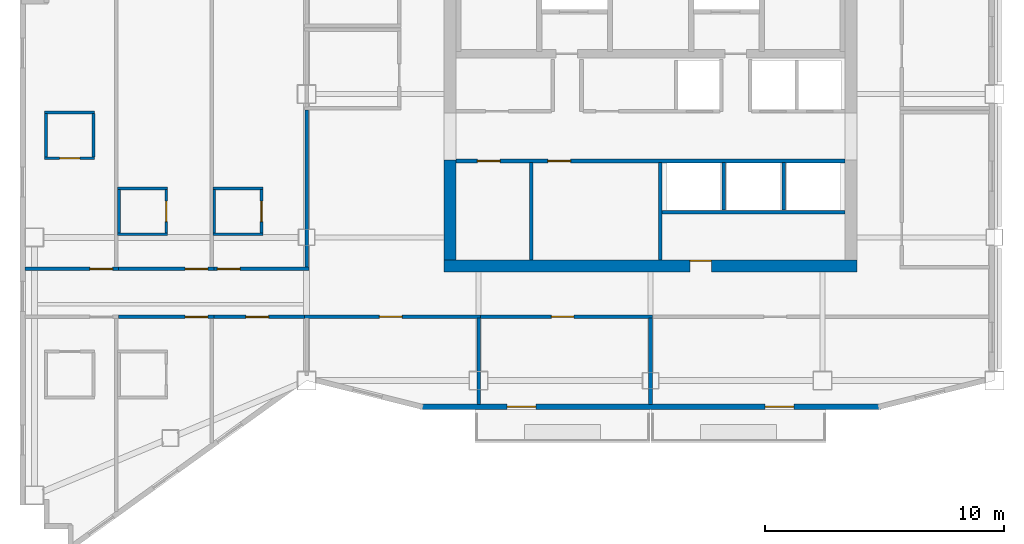
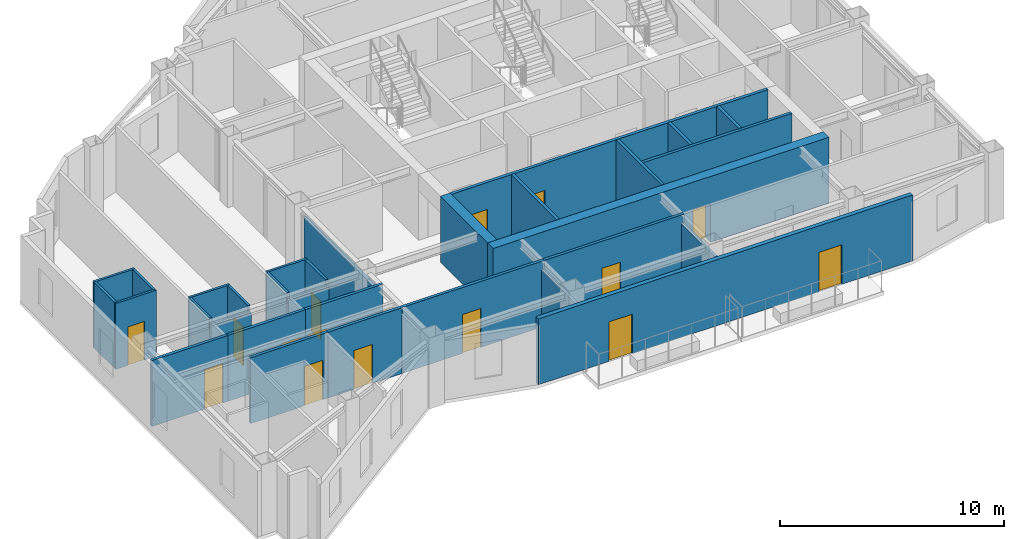
# One storey, part 5 of 9: 31 walls, 15 doors, 15 openings.
"""IFC4 building model written with IfcOpenShell, lengths in metres."""

from ifc_helpers import new_model, si_unit, direction, frame, frame_2d, origin, place, context, subcontext, project, spatial, rectangle, extrude, material, layer, layer_set, type_object, element, fill, save


model = new_model("IFC4")

# Units and contexts
model_context = context("Model", 3, precision=1e-05, world=origin(), true_north=direction((0.0, 1.0)))
body_context = subcontext(model_context, "Body", "Model", "MODEL_VIEW")
ifc_project = project(units=[si_unit("LENGTHUNIT", "METRE"), si_unit("AREAUNIT", "SQUARE_METRE"), si_unit("VOLUMEUNIT", "CUBIC_METRE"), si_unit("PLANEANGLEUNIT", "RADIAN"), si_unit("MASSUNIT", "GRAM", prefix="KILO")], contexts=[model_context])

# Site, building, storey
site_placement = place(None, origin())
site = spatial("IfcSite", under=ifc_project, at=site_placement, CompositionType="ELEMENT")
building_placement = place(site_placement, origin())
building = spatial("IfcBuilding", under=site, at=building_placement, Name="Haolan Belvedere Tower", CompositionType="ELEMENT")
storey_placement = place(building_placement, frame((0.0, 0.0, 273.699951171875)))
storey = spatial("IfcBuildingStorey", under=building, at=storey_placement, Name="L69", CompositionType="ELEMENT", Elevation=273.699951171875)

# Wall, opening, door
ifc_material_1 = material(Name="Concrete C50/60", Category="concrete")
ifc_layer_1 = layer(ifc_material_1, 0.5, Name="Concrete C50/60")
ifc_layer_set_1 = layer_set([ifc_layer_1], Name="Concrete C50/60")
wall_type_1 = type_object("IfcWallType", Name="WL-CORE-500", PredefinedType="SHEAR", material=ifc_layer_set_1)
wall_1_placement = place(storey_placement, frame((29.75, 26.39990234375, 0.0), z_axis=(0.0, 0.0, 1.0), x_axis=(1.0, 0.0, 0.0)))
wall_1 = element("IfcWall", 1, at=wall_1_placement, inside=storey, type_object=wall_type_1, Name="L69 central core south shear wall", PredefinedType="SHEAR", context=body_context, shape_type="SweptSolid", body=[
    extrude(rectangle(XDim=17.300048828125, YDim=0.5, at=frame_2d((8.64990234375, 0.0))), origin(), (0.0, 0.0, 1.0), 3.590087890625),
])
opening_1_placement = place(wall_1_placement, frame((11.199951171875, 0.0, 0.0), z_axis=(0.0, 0.0, 1.0), x_axis=(-1.0, 0.0, 0.0)))
opening_1 = element("IfcOpeningElement", 2, at=opening_1_placement, cuts=wall_1, Name="Opening FD-05", PredefinedType="OPENING", context=body_context, shape_type="SweptSolid", body=[
    extrude(rectangle(XDim=0.89990234375, YDim=2.10009765625, at=frame_2d((0.449951171875, 1.050048828125))), frame((0.0, 0.260009765625, 0.0), z_axis=(0.0, -1.0, 0.0), x_axis=(1.0, 0.0, 0.0)), (0.0, 0.0, 1.0), 0.52001953125),
])
ifc_material_2 = material(Name="Galvanised fire-rated steel", Category="steel")
door_type_1 = type_object("IfcDoorType", Name="DR-FD60-900", OperationType="NOTDEFINED", PredefinedType="DOOR", material=ifc_material_2)
door_1_placement = place(opening_1_placement, origin())
door_1 = element("IfcDoor", 3, at=door_1_placement, inside=storey, type_object=door_type_1, Name="L69 door CD-L69-SCVE", OperationType="SINGLE_SWING_RIGHT", OverallHeight=2.10009765625, OverallWidth=0.89990234375, PredefinedType="DOOR", context=body_context, shape_type="SweptSolid", body=[
    extrude(rectangle(XDim=0.89990234375, YDim=2.10009765625, at=frame_2d((0.449951171875, 1.050048828125))), frame((0.0, -0.19482421875, 0.0), z_axis=(0.0, -1.0, 0.0), x_axis=(1.0, 0.0, 0.0)), (0.0, 0.0, 1.0), 0.050048828125),
])
fill(opening_1, door_1)

# Wall
wall_2_placement = place(storey_placement, frame((30.0, 26.64990234375, 0.0), z_axis=(0.0, 0.0, 1.0), x_axis=(0.0, 1.0, 0.0)))
element("IfcWall", 4, at=wall_2_placement, inside=storey, type_object=wall_type_1, Name="L69 central core shear wall WS", PredefinedType="SHEAR", context=body_context, shape_type="SweptSolid", body=[
    extrude(rectangle(XDim=4.2001953125, YDim=0.5, at=frame_2d((2.10009765625, 0.0))), origin(), (0.0, 0.0, 1.0), 3.590087890625),
])

# Wall, openings, doors
ifc_material_3 = material(Name="Precast concrete C40/50", Category="concrete")
ifc_layer_2 = layer(ifc_material_3, 0.219970703125, Name="Precast concrete C40/50")
ifc_layer_set_2 = layer_set([ifc_layer_2], Name="Precast concrete C40/50")
wall_type_2 = type_object("IfcWallType", Name="WL-EXT-220", PredefinedType="SOLIDWALL", material=ifc_layer_set_2)
wall_3_placement = place(storey_placement, frame((28.758544921875, 20.510009765625, 0.0), z_axis=(0.0, 0.0, 1.0), x_axis=(1.0, 0.0, 0.0)))
wall_3 = element("IfcWall", 5, at=wall_3_placement, inside=storey, type_object=wall_type_2, Name="L69 pale-metal exterior spandrel wall 1.1", PredefinedType="SOLIDWALL", context=body_context, shape_type="SweptSolid", body=[
    extrude(rectangle(XDim=19.282958984375, YDim=0.219970703125, at=frame_2d((9.6416015625, 0.0))), origin(), (0.0, 0.0, 1.0), 3.590087890625),
])
opening_2_placement = place(wall_3_placement, frame((4.841552734375, 0.0, 0.0), z_axis=(0.0, 0.0, 1.0), x_axis=(-1.0, 0.0, 0.0)))
opening_2 = element("IfcOpeningElement", 6, at=opening_2_placement, cuts=wall_3, Name="Opening BD-01", PredefinedType="OPENING", context=body_context, shape_type="SweptSolid", body=[
    extrude(rectangle(XDim=1.199951171875, YDim=2.14990234375, at=frame_2d((0.60009765625, 1.074951171875))), frame((0.0, 0.119873046875, 0.0), z_axis=(0.0, -1.0, 0.0), x_axis=(1.0, 0.0, 0.0)), (0.0, 0.0, 1.0), 0.239990234375),
])
opening_3_placement = place(wall_3_placement, frame((15.641357421875, 0.0, 0.0), z_axis=(0.0, 0.0, 1.0), x_axis=(-1.0, 0.0, 0.0)))
opening_3 = element("IfcOpeningElement", 7, at=opening_3_placement, cuts=wall_3, Name="Opening BD-01", PredefinedType="OPENING", context=body_context, shape_type="SweptSolid", body=[
    extrude(rectangle(XDim=1.199951171875, YDim=2.14990234375, at=frame_2d((0.60009765625, 1.074951171875))), frame((0.0, 0.119873046875, 0.0), z_axis=(0.0, -1.0, 0.0), x_axis=(1.0, 0.0, 0.0)), (0.0, 0.0, 1.0), 0.239990234375),
])
ifc_material_4 = material(Name="Thermally broken pale-metal aluminium and Low-E glass", Category="aluminium")
door_type_2 = type_object("IfcDoorType", Name="DR-BAL-1200", OperationType="NOTDEFINED", PredefinedType="DOOR", material=ifc_material_4)
door_2_placement = place(opening_2_placement, origin())
door_2 = element("IfcDoor", 8, at=door_2_placement, inside=storey, type_object=door_type_2, Name="L69 tree-balcony access door 1", OperationType="SINGLE_SWING_LEFT", OverallHeight=2.14990234375, OverallWidth=1.199951171875, PredefinedType="DOOR", context=body_context, shape_type="SweptSolid", body=[
    extrude(rectangle(XDim=1.199951171875, YDim=2.14990234375, at=frame_2d((0.60009765625, 1.074951171875))), frame((0.0, 0.02490234375, 0.0), z_axis=(0.0, -1.0, 0.0), x_axis=(1.0, 0.0, 0.0)), (0.0, 0.0, 1.0), 0.050048828125),
])
fill(opening_2, door_2)
door_3_placement = place(opening_3_placement, origin())
door_3 = element("IfcDoor", 9, at=door_3_placement, inside=storey, type_object=door_type_2, Name="L69 tree-balcony access door 2", OperationType="SINGLE_SWING_RIGHT", OverallHeight=2.14990234375, OverallWidth=1.199951171875, PredefinedType="DOOR", context=body_context, shape_type="SweptSolid", body=[
    extrude(rectangle(XDim=1.199951171875, YDim=2.14990234375, at=frame_2d((0.60009765625, 1.074951171875))), frame((0.0, 0.02490234375, 0.0), z_axis=(0.0, -1.0, 0.0), x_axis=(1.0, 0.0, 0.0)), (0.0, 0.0, 1.0), 0.050048828125),
])
fill(opening_3, door_3)

# Walls
ifc_material_5 = material(Name="Double gypsum acoustic stud partition", Category="masonry")
ifc_layer_3 = layer(ifc_material_5, 0.14990234375, Name="Double gypsum acoustic stud partition")
ifc_layer_set_3 = layer_set([ifc_layer_3], Name="Double gypsum acoustic stud partition")
wall_type_3 = type_object("IfcWallType", Name="WL-PART-150", PredefinedType="PARTITIONING", material=ifc_layer_set_3)
wall_4_placement = place(storey_placement, frame((33.39990234375, 26.659912109375, 0.0), z_axis=(0.0, 0.0, 1.0), x_axis=(0.0, 1.0, 0.0)))
element("IfcWall", 10, at=wall_4_placement, inside=storey, type_object=wall_type_3, Name="L69 interior partition IW-L69-DIV-REUSE-PM", PredefinedType="PARTITIONING", context=body_context, shape_type="SweptSolid", body=[
    extrude(rectangle(XDim=4.0751953125, YDim=0.14990234375, at=frame_2d((2.03759765625, 0.0))), origin(), (0.0, 0.0, 1.0), 3.590087890625),
])
wall_5_placement = place(storey_placement, frame((38.860107421875, 28.659912109375, 0.0), z_axis=(0.0, 0.0, 1.0), x_axis=(1.0, 0.0, 0.0)))
element("IfcWall", 11, at=wall_5_placement, inside=storey, type_object=wall_type_3, Name="L69 interior partition IW-L69-SSTRIP-E", PredefinedType="PARTITIONING", context=body_context, shape_type="SweptSolid", body=[
    extrude(rectangle(XDim=7.68994140625, YDim=0.14990234375, at=frame_2d((3.844970703125, 0.0))), origin(), (0.0, 0.0, 1.0), 3.590087890625),
])

# Wall, opening, door
wall_6_placement = place(storey_placement, frame((23.919921875, 24.280029296875, 0.0), z_axis=(0.0, 0.0, 1.0), x_axis=(1.0, 0.0, 0.0)))
wall_6 = element("IfcWall", 12, at=wall_6_placement, inside=storey, type_object=wall_type_3, Name="L69 interior partition IW-L69-KS1-N", PredefinedType="PARTITIONING", context=body_context, shape_type="SweptSolid", body=[
    extrude(rectangle(XDim=7.360107421875, YDim=0.14990234375, at=frame_2d((3.68017578125, 0.0))), origin(), (0.0, 0.0, 1.0), 3.590087890625),
])
opening_4_placement = place(wall_6_placement, frame((4.074951171875, 0.0, 0.0), z_axis=(0.0, 0.0, 1.0), x_axis=(-1.0, 0.0, 0.0)))
opening_4 = element("IfcOpeningElement", 13, at=opening_4_placement, cuts=wall_6, Name="Opening ID-03", PredefinedType="OPENING", context=body_context, shape_type="SweptSolid", body=[
    extrude(rectangle(XDim=0.949951171875, YDim=2.1201171875, at=frame_2d((0.47509765625, 1.06005859375))), frame((0.0, 0.0849609375, 0.0), z_axis=(0.0, -1.0, 0.0), x_axis=(1.0, 0.0, 0.0)), (0.0, 0.0, 1.0), 0.169921875),
])
ifc_material_6 = material(Name="Painted solid-core timber", Category="wood")
door_type_3 = type_object("IfcDoorType", Name="DR-INT-950", OperationType="NOTDEFINED", PredefinedType="DOOR", material=ifc_material_6)
door_4_placement = place(opening_4_placement, origin())
door_4 = element("IfcDoor", 14, at=door_4_placement, inside=storey, type_object=door_type_3, Name="L69 door ID-L69-KS1", OperationType="SINGLE_SWING_LEFT", OverallHeight=2.1201171875, OverallWidth=0.949951171875, PredefinedType="DOOR", context=body_context, shape_type="SweptSolid", body=[
    extrude(rectangle(XDim=0.949951171875, YDim=2.1201171875, at=frame_2d((0.47509765625, 1.06005859375))), frame((0.0, 0.02490234375, 0.0), z_axis=(0.0, -1.0, 0.0), x_axis=(1.0, 0.0, 0.0)), (0.0, 0.0, 1.0), 0.050048828125),
])
fill(opening_4, door_4)

# Wall
wall_7_placement = place(storey_placement, frame((31.199951171875, 20.612060546875, 0.0), z_axis=(0.0, 0.0, 1.0), x_axis=(0.0, 1.0, 0.0)))
element("IfcWall", 15, at=wall_7_placement, inside=storey, type_object=wall_type_3, Name="L69 interior partition IW-L69-KS1-E", PredefinedType="PARTITIONING", context=body_context, shape_type="SweptSolid", body=[
    extrude(rectangle(XDim=3.60791015625, YDim=0.14990234375, at=frame_2d((1.803955078125, 0.0))), origin(), (0.0, 0.0, 1.0), 3.125),
])

# Wall, opening, door
wall_8_placement = place(storey_placement, frame((31.281982421875, 24.280029296875, 0.0), z_axis=(0.0, 0.0, 1.0), x_axis=(1.0, 0.0, 0.0)))
wall_8 = element("IfcWall", 16, at=wall_8_placement, inside=storey, type_object=wall_type_3, Name="L69 interior partition IW-L69-KS2-N", PredefinedType="PARTITIONING", context=body_context, shape_type="SweptSolid", body=[
    extrude(rectangle(XDim=7.197998046875, YDim=0.14990234375, at=frame_2d((3.59912109375, 0.0))), origin(), (0.0, 0.0, 1.0), 3.590087890625),
])
opening_5_placement = place(wall_8_placement, frame((3.912841796875, 0.0, 0.0), z_axis=(0.0, 0.0, 1.0), x_axis=(-1.0, 0.0, 0.0)))
opening_5 = element("IfcOpeningElement", 17, at=opening_5_placement, cuts=wall_8, Name="Opening ID-03", PredefinedType="OPENING", context=body_context, shape_type="SweptSolid", body=[
    extrude(rectangle(XDim=0.949951171875, YDim=2.1201171875, at=frame_2d((0.47509765625, 1.06005859375))), frame((0.0, 0.0849609375, 0.0), z_axis=(0.0, -1.0, 0.0), x_axis=(1.0, 0.0, 0.0)), (0.0, 0.0, 1.0), 0.169921875),
])
door_5_placement = place(opening_5_placement, origin())
door_5 = element("IfcDoor", 18, at=door_5_placement, inside=storey, type_object=door_type_3, Name="L69 door ID-L69-KS2", OperationType="SINGLE_SWING_RIGHT", OverallHeight=2.1201171875, OverallWidth=0.949951171875, PredefinedType="DOOR", context=body_context, shape_type="SweptSolid", body=[
    extrude(rectangle(XDim=0.949951171875, YDim=2.1201171875, at=frame_2d((0.47509765625, 1.06005859375))), frame((0.0, 0.02490234375, 0.0), z_axis=(0.0, -1.0, 0.0), x_axis=(1.0, 0.0, 0.0)), (0.0, 0.0, 1.0), 0.050048828125),
])
fill(opening_5, door_5)

# Wall
wall_9_placement = place(storey_placement, frame((38.39990234375, 20.612060546875, 0.0), z_axis=(0.0, 0.0, 1.0), x_axis=(0.0, 1.0, 0.0)))
element("IfcWall", 19, at=wall_9_placement, inside=storey, type_object=wall_type_3, Name="L69 interior partition IW-L69-KS2-E", PredefinedType="PARTITIONING", context=body_context, shape_type="SweptSolid", body=[
    extrude(rectangle(XDim=3.60791015625, YDim=0.14990234375, at=frame_2d((1.803955078125, 0.0))), origin(), (0.0, 0.0, 1.0), 3.125),
])

# Wall, opening, door
wall_10_placement = place(storey_placement, frame((12.2119140625, 26.280029296875, 0.0), z_axis=(0.0, 0.0, 1.0), x_axis=(1.0, 0.0, 0.0)))
wall_10 = element("IfcWall", 20, at=wall_10_placement, inside=storey, type_object=wall_type_3, Name="L69 interior partition IW-L69-T2N1-S", PredefinedType="PARTITIONING", context=body_context, shape_type="SweptSolid", body=[
    extrude(rectangle(XDim=3.91796875, YDim=0.14990234375, at=frame_2d((1.958984375, 0.0))), origin(), (0.0, 0.0, 1.0), 3.590087890625),
])
opening_6_placement = place(wall_10_placement, frame((2.71337890625, 0.0, 0.0)))
opening_6 = element("IfcOpeningElement", 21, at=opening_6_placement, cuts=wall_10, Name="Opening ID-02", PredefinedType="OPENING", context=body_context, shape_type="SweptSolid", body=[
    extrude(rectangle(XDim=0.949951171875, YDim=2.14990234375, at=frame_2d((0.47509765625, 1.074951171875))), frame((0.0, 0.0849609375, 0.0), z_axis=(0.0, -1.0, 0.0), x_axis=(1.0, 0.0, 0.0)), (0.0, 0.0, 1.0), 0.169921875),
])
ifc_material_7 = material(Name="Acoustic oak veneer fire-rated timber", Category="wood")
door_type_4 = type_object("IfcDoorType", Name="DR-GUEST-950", OperationType="NOTDEFINED", PredefinedType="DOOR", material=ifc_material_7)
door_6_placement = place(opening_6_placement, origin())
door_6 = element("IfcDoor", 22, at=door_6_placement, inside=storey, type_object=door_type_4, Name="L69 door ID-L69-T2N1-ENT", OperationType="SINGLE_SWING_LEFT", OverallHeight=2.14990234375, OverallWidth=0.949951171875, PredefinedType="DOOR", context=body_context, shape_type="SweptSolid", body=[
    extrude(rectangle(XDim=0.949951171875, YDim=2.14990234375, at=frame_2d((0.47509765625, 1.074951171875))), frame((0.0, 0.02490234375, 0.0), z_axis=(0.0, -1.0, 0.0), x_axis=(1.0, 0.0, 0.0)), (0.0, 0.0, 1.0), 0.050048828125),
])
fill(opening_6, door_6)

wall_11_placement = place(storey_placement, frame((16.132080078125, 26.280029296875, 0.0), z_axis=(0.0, 0.0, 1.0), x_axis=(1.0, 0.0, 0.0)))
wall_11 = element("IfcWall", 23, at=wall_11_placement, inside=storey, type_object=wall_type_3, Name="L69 interior partition IW-L69-T2N2-S", PredefinedType="PARTITIONING", context=body_context, shape_type="SweptSolid", body=[
    extrude(rectangle(XDim=3.988037109375, YDim=0.14990234375, at=frame_2d((1.994140625, 0.0))), origin(), (0.0, 0.0, 1.0), 3.590087890625),
])
opening_7_placement = place(wall_11_placement, frame((2.781005859375, 0.0, 0.0)))
opening_7 = element("IfcOpeningElement", 24, at=opening_7_placement, cuts=wall_11, Name="Opening ID-01", PredefinedType="OPENING", context=body_context, shape_type="SweptSolid", body=[
    extrude(rectangle(XDim=0.949951171875, YDim=2.179931640625, at=frame_2d((0.47509765625, 1.08984375))), frame((0.0, 0.0849609375, 0.0), z_axis=(0.0, -1.0, 0.0), x_axis=(1.0, 0.0, 0.0)), (0.0, 0.0, 1.0), 0.169921875),
])
ifc_material_8 = material(Name="Acoustic walnut veneer fire-rated timber", Category="wood")
door_type_5 = type_object("IfcDoorType", Name="DR-SUITE-950", OperationType="NOTDEFINED", PredefinedType="DOOR", material=ifc_material_8)
door_7_placement = place(opening_7_placement, origin())
door_7 = element("IfcDoor", 25, at=door_7_placement, inside=storey, type_object=door_type_5, Name="L69 door ID-L69-T2N2-ENT", OperationType="SINGLE_SWING_RIGHT", OverallHeight=2.179931640625, OverallWidth=0.949951171875, PredefinedType="DOOR", context=body_context, shape_type="SweptSolid", body=[
    extrude(rectangle(XDim=0.949951171875, YDim=2.179931640625, at=frame_2d((0.47509765625, 1.08984375))), frame((0.0, 0.02490234375, 0.0), z_axis=(0.0, -1.0, 0.0), x_axis=(1.0, 0.0, 0.0)), (0.0, 0.0, 1.0), 0.050048828125),
])
fill(opening_7, door_7)

wall_12_placement = place(storey_placement, frame((20.1220703125, 26.280029296875, 0.0), z_axis=(0.0, 0.0, 1.0), x_axis=(1.0, 0.0, 0.0)))
wall_12 = element("IfcWall", 26, at=wall_12_placement, inside=storey, type_object=wall_type_3, Name="L69 interior partition IW-L69-T2N3-S", PredefinedType="PARTITIONING", context=body_context, shape_type="SweptSolid", body=[
    extrude(rectangle(XDim=3.97802734375, YDim=0.14990234375, at=frame_2d((1.989013671875, 0.0))), origin(), (0.0, 0.0, 1.0), 3.590087890625),
])
opening_8_placement = place(wall_12_placement, frame((0.139892578125, 0.0, 0.0)))
opening_8 = element("IfcOpeningElement", 27, at=opening_8_placement, cuts=wall_12, Name="Opening ID-01", PredefinedType="OPENING", context=body_context, shape_type="SweptSolid", body=[
    extrude(rectangle(XDim=0.949951171875, YDim=2.179931640625, at=frame_2d((0.47509765625, 1.08984375))), frame((0.0, 0.0849609375, 0.0), z_axis=(0.0, -1.0, 0.0), x_axis=(1.0, 0.0, 0.0)), (0.0, 0.0, 1.0), 0.169921875),
])
door_8_placement = place(opening_8_placement, origin())
door_8 = element("IfcDoor", 28, at=door_8_placement, inside=storey, type_object=door_type_5, Name="L69 door ID-L69-T2N3-ENT", OperationType="SINGLE_SWING_LEFT", OverallHeight=2.179931640625, OverallWidth=0.949951171875, PredefinedType="DOOR", context=body_context, shape_type="SweptSolid", body=[
    extrude(rectangle(XDim=0.949951171875, YDim=2.179931640625, at=frame_2d((0.47509765625, 1.08984375))), frame((0.0, 0.02490234375, 0.0), z_axis=(0.0, -1.0, 0.0), x_axis=(1.0, 0.0, 0.0)), (0.0, 0.0, 1.0), 0.050048828125),
])
fill(opening_8, door_8)

# Wall
wall_13_placement = place(storey_placement, frame((24.0, 26.340087890625, 0.0), z_axis=(0.0, 0.0, 1.0), x_axis=(0.0, 1.0, 0.0)))
element("IfcWall", 29, at=wall_13_placement, inside=storey, type_object=wall_type_3, Name="L69 interior partition IW-L69-T2N3-E", PredefinedType="PARTITIONING", context=body_context, shape_type="SweptSolid", body=[
    extrude(rectangle(XDim=6.599853515625, YDim=0.14990234375, at=frame_2d((3.2998046875, 0.0))), origin(), (0.0, 0.0, 1.0), 3.235107421875),
])

# Wall, opening, door
wall_14_placement = place(storey_placement, frame((16.132080078125, 24.27001953125, 0.0), z_axis=(0.0, 0.0, 1.0), x_axis=(1.0, 0.0, 0.0)))
wall_14 = element("IfcWall", 30, at=wall_14_placement, inside=storey, type_object=wall_type_3, Name="L69 interior partition IW-L69-T2S2-N", PredefinedType="PARTITIONING", context=body_context, shape_type="SweptSolid", body=[
    extrude(rectangle(XDim=3.988037109375, YDim=0.14990234375, at=frame_2d((1.994140625, 0.0))), origin(), (0.0, 0.0, 1.0), 3.590087890625),
])
opening_9_placement = place(wall_14_placement, frame((3.73095703125, 0.0, 0.0), z_axis=(0.0, 0.0, 1.0), x_axis=(-1.0, 0.0, 0.0)))
opening_9 = element("IfcOpeningElement", 31, at=opening_9_placement, cuts=wall_14, Name="Opening ID-02", PredefinedType="OPENING", context=body_context, shape_type="SweptSolid", body=[
    extrude(rectangle(XDim=0.949951171875, YDim=2.14990234375, at=frame_2d((0.47509765625, 1.074951171875))), frame((0.0, 0.0849609375, 0.0), z_axis=(0.0, -1.0, 0.0), x_axis=(1.0, 0.0, 0.0)), (0.0, 0.0, 1.0), 0.169921875),
])
door_9_placement = place(opening_9_placement, origin())
door_9 = element("IfcDoor", 32, at=door_9_placement, inside=storey, type_object=door_type_4, Name="L69 door ID-L69-T2S2-ENT", OperationType="SINGLE_SWING_LEFT", OverallHeight=2.14990234375, OverallWidth=0.949951171875, PredefinedType="DOOR", context=body_context, shape_type="SweptSolid", body=[
    extrude(rectangle(XDim=0.949951171875, YDim=2.14990234375, at=frame_2d((0.47509765625, 1.074951171875))), frame((0.0, 0.02490234375, 0.0), z_axis=(0.0, -1.0, 0.0), x_axis=(1.0, 0.0, 0.0)), (0.0, 0.0, 1.0), 0.050048828125),
])
fill(opening_9, door_9)

wall_15_placement = place(storey_placement, frame((20.1220703125, 24.27001953125, 0.0), z_axis=(0.0, 0.0, 1.0), x_axis=(1.0, 0.0, 0.0)))
wall_15 = element("IfcWall", 33, at=wall_15_placement, inside=storey, type_object=wall_type_3, Name="L69 interior partition IW-L69-T2S3-N", PredefinedType="PARTITIONING", context=body_context, shape_type="SweptSolid", body=[
    extrude(rectangle(XDim=3.7958984375, YDim=0.14990234375, at=frame_2d((1.89794921875, 0.0))), origin(), (0.0, 0.0, 1.0), 3.590087890625),
])
opening_10_placement = place(wall_15_placement, frame((2.282958984375, 0.0, 0.0), z_axis=(0.0, 0.0, 1.0), x_axis=(-1.0, 0.0, 0.0)))
opening_10 = element("IfcOpeningElement", 34, at=opening_10_placement, cuts=wall_15, Name="Opening ID-03", PredefinedType="OPENING", context=body_context, shape_type="SweptSolid", body=[
    extrude(rectangle(XDim=0.949951171875, YDim=2.1201171875, at=frame_2d((0.47509765625, 1.06005859375))), frame((0.0, 0.0849609375, 0.0), z_axis=(0.0, -1.0, 0.0), x_axis=(1.0, 0.0, 0.0)), (0.0, 0.0, 1.0), 0.169921875),
])
door_10_placement = place(opening_10_placement, origin())
door_10 = element("IfcDoor", 35, at=door_10_placement, inside=storey, type_object=door_type_3, Name="L69 door ID-L69-T2S3", OperationType="SINGLE_SWING_RIGHT", OverallHeight=2.1201171875, OverallWidth=0.949951171875, PredefinedType="DOOR", context=body_context, shape_type="SweptSolid", body=[
    extrude(rectangle(XDim=0.949951171875, YDim=2.1201171875, at=frame_2d((0.47509765625, 1.06005859375))), frame((0.0, 0.02490234375, 0.0), z_axis=(0.0, -1.0, 0.0), x_axis=(1.0, 0.0, 0.0)), (0.0, 0.0, 1.0), 0.050048828125),
])
fill(opening_10, door_10)

# Wall, openings, doors
ifc_material_9 = material(Name="Gypsum fire shaftwall assembly", Category="masonry")
ifc_layer_4 = layer(ifc_material_9, 0.1650390625, Name="Gypsum fire shaftwall assembly")
ifc_layer_set_4 = layer_set([ifc_layer_4], Name="Gypsum fire shaftwall assembly")
wall_type_4 = type_object("IfcWallType", Name="WL-SHAFT-160", PredefinedType="SOLIDWALL", material=ifc_layer_set_4)
wall_16_placement = place(storey_placement, frame((30.25, 30.800048828125, 0.0), z_axis=(0.0, 0.0, 1.0), x_axis=(1.0, 0.0, 0.0)))
wall_16 = element("IfcWall", 36, at=wall_16_placement, inside=storey, type_object=wall_type_4, Name="L69 interior partition IW-L69-ROW-PS", PredefinedType="SOLIDWALL", context=body_context, shape_type="SweptSolid", body=[
    extrude(rectangle(XDim=16.300048828125, YDim=0.159912109375, at=frame_2d((8.14990234375, 0.0))), origin(), (0.0, 0.0, 1.0), 3.590087890625),
])
opening_11_placement = place(wall_16_placement, frame((0.89990234375, 0.0, 0.0)))
opening_11 = element("IfcOpeningElement", 37, at=opening_11_placement, cuts=wall_16, Name="Opening ID-03", PredefinedType="OPENING", context=body_context, shape_type="SweptSolid", body=[
    extrude(rectangle(XDim=0.949951171875, YDim=2.1201171875, at=frame_2d((0.47509765625, 1.06005859375))), frame((0.0, 0.08984375, 0.0), z_axis=(0.0, -1.0, 0.0), x_axis=(1.0, 0.0, 0.0)), (0.0, 0.0, 1.0), 0.179931640625),
])
opening_12_placement = place(wall_16_placement, frame((3.85009765625, 0.0, 0.0)))
opening_12 = element("IfcOpeningElement", 38, at=opening_12_placement, cuts=wall_16, Name="Opening ID-03", PredefinedType="OPENING", context=body_context, shape_type="SweptSolid", body=[
    extrude(rectangle(XDim=0.949951171875, YDim=2.1201171875, at=frame_2d((0.47509765625, 1.06005859375))), frame((0.0, 0.08984375, 0.0), z_axis=(0.0, -1.0, 0.0), x_axis=(1.0, 0.0, 0.0)), (0.0, 0.0, 1.0), 0.179931640625),
])
door_11_placement = place(opening_11_placement, origin())
door_11 = element("IfcDoor", 39, at=door_11_placement, inside=storey, type_object=door_type_3, Name="L69 door ID-L69-CD-RPMA", OperationType="SINGLE_SWING_LEFT", OverallHeight=2.1201171875, OverallWidth=0.949951171875, PredefinedType="DOOR", context=body_context, shape_type="SweptSolid", body=[
    extrude(rectangle(XDim=0.949951171875, YDim=2.1201171875, at=frame_2d((0.47509765625, 1.06005859375))), frame((0.0, 0.02490234375, 0.0), z_axis=(0.0, -1.0, 0.0), x_axis=(1.0, 0.0, 0.0)), (0.0, 0.0, 1.0), 0.050048828125),
])
fill(opening_11, door_11)
door_12_placement = place(opening_12_placement, origin())
door_12 = element("IfcDoor", 40, at=door_12_placement, inside=storey, type_object=door_type_3, Name="L69 door ID-L69-CD-RPMB", OperationType="SINGLE_SWING_RIGHT", OverallHeight=2.1201171875, OverallWidth=0.949951171875, PredefinedType="DOOR", context=body_context, shape_type="SweptSolid", body=[
    extrude(rectangle(XDim=0.949951171875, YDim=2.1201171875, at=frame_2d((0.47509765625, 1.06005859375))), frame((0.0, 0.02490234375, 0.0), z_axis=(0.0, -1.0, 0.0), x_axis=(1.0, 0.0, 0.0)), (0.0, 0.0, 1.0), 0.050048828125),
])
fill(opening_12, door_12)

# Walls
wall_17_placement = place(storey_placement, frame((38.800048828125, 26.659912109375, 0.0), z_axis=(0.0, 0.0, 1.0), x_axis=(0.0, 1.0, 0.0)))
element("IfcWall", 41, at=wall_17_placement, inside=storey, type_object=wall_type_4, Name="L69 interior partition IW-L69-DIV-PM-OB", PredefinedType="SOLIDWALL", context=body_context, shape_type="SweptSolid", body=[
    extrude(rectangle(XDim=4.0751953125, YDim=0.14990234375, at=frame_2d((2.03759765625, 0.0))), origin(), (0.0, 0.0, 1.0), 3.590087890625),
])
for number, where, z_axis, x_axis, name in (
    (42, (41.469970703125, 28.75, 0.0), (0.0, 0.0, 1.0), (0.0, 1.0, 0.0), "L69 interior partition IW-L69-DIV-OB1"),
    (43, (43.97998046875, 28.75, 0.0), (0.0, 0.0, 1.0), (0.0, 1.0, 0.0), "L69 interior partition IW-L69-DIV-OB2"),
):
    element("IfcWall", number, at=place(storey_placement, frame(where, z_axis=z_axis, x_axis=x_axis)), inside=storey, type_object=wall_type_4, Name=name, PredefinedType="SOLIDWALL", context=body_context, shape_type="SweptSolid", body=[
        extrude(rectangle(XDim=1.985107421875, YDim=0.14990234375, at=frame_2d((0.99267578125, 0.0))), origin(), (0.0, 0.0, 1.0), 3.590087890625),
    ])
ifc_material_10 = material(Name="Moisture-resistant gypsum tile partition", Category="masonry")
ifc_layer_5 = layer(ifc_material_10, 0.1201171875, Name="Moisture-resistant gypsum tile partition")
ifc_layer_set_5 = layer_set([ifc_layer_5], Name="Moisture-resistant gypsum tile partition")
wall_type_5 = type_object("IfcWallType", Name="WL-WET-120", PredefinedType="PARTITIONING", material=ifc_layer_set_5)
wall_18_placement = place(storey_placement, frame((13.030029296875, 32.8349609375, 0.0), z_axis=(0.0, 0.0, 1.0), x_axis=(1.0, 0.0, 0.0)))
element("IfcWall", 44, at=wall_18_placement, inside=storey, type_object=wall_type_5, Name="L69 interior partition IW-L69-T2N1-BN", PredefinedType="PARTITIONING", context=body_context, shape_type="SweptSolid", body=[
    extrude(rectangle(XDim=2.099853515625, YDim=0.1201171875, at=frame_2d((1.0498046875, 0.0))), origin(), (0.0, 0.0, 1.0), 3.590087890625),
])

# Wall, opening, door
wall_19_placement = place(storey_placement, frame((13.030029296875, 30.9150390625, 0.0), z_axis=(0.0, 0.0, 1.0), x_axis=(1.0, 0.0, 0.0)))
wall_19 = element("IfcWall", 45, at=wall_19_placement, inside=storey, type_object=wall_type_5, Name="L69 interior partition IW-L69-T2N1-BS", PredefinedType="PARTITIONING", context=body_context, shape_type="SweptSolid", body=[
    extrude(rectangle(XDim=2.099853515625, YDim=0.1201171875, at=frame_2d((1.0498046875, 0.0))), origin(), (0.0, 0.0, 1.0), 3.590087890625),
])
opening_13_placement = place(wall_19_placement, frame((0.625, 0.0, 0.0)))
opening_13 = element("IfcOpeningElement", 46, at=opening_13_placement, cuts=wall_19, Name="Opening ID-05", PredefinedType="OPENING", context=body_context, shape_type="SweptSolid", body=[
    extrude(rectangle(XDim=0.85009765625, YDim=2.10009765625, at=frame_2d((0.425048828125, 1.050048828125))), frame((0.0, 0.070068359375, 0.0), z_axis=(0.0, -1.0, 0.0), x_axis=(1.0, 0.0, 0.0)), (0.0, 0.0, 1.0), 0.14013671875),
])
ifc_material_11 = material(Name="Moisture-resistant lacquered timber", Category="wood")
door_type_6 = type_object("IfcDoorType", Name="DR-BATH-850", OperationType="NOTDEFINED", PredefinedType="DOOR", material=ifc_material_11)
door_13_placement = place(opening_13_placement, origin())
door_13 = element("IfcDoor", 47, at=door_13_placement, inside=storey, type_object=door_type_6, Name="L69 door ID-L69-T2N1-BATH", OperationType="SINGLE_SWING_RIGHT", OverallHeight=2.10009765625, OverallWidth=0.85009765625, PredefinedType="DOOR", context=body_context, shape_type="SweptSolid", body=[
    extrude(rectangle(XDim=0.85009765625, YDim=2.10009765625, at=frame_2d((0.425048828125, 1.050048828125))), frame((0.0, 0.02490234375, 0.0), z_axis=(0.0, -1.0, 0.0), x_axis=(1.0, 0.0, 0.0)), (0.0, 0.0, 1.0), 0.050048828125),
])
fill(opening_13, door_13)

# Walls
for number, where, z_axis, x_axis, name in (
    (48, (13.090087890625, 30.9599609375, 0.0), (0.0, 0.0, 1.0), (0.0, 1.0, 0.0), "L69 interior partition IW-L69-T2N1-BW"),
    (49, (15.070068359375, 30.9599609375, 0.0), (0.0, 0.0, 1.0), (0.0, 1.0, 0.0), "L69 interior partition IW-L69-T2N1-BE"),
):
    element("IfcWall", number, at=place(storey_placement, frame(where, z_axis=z_axis, x_axis=x_axis)), inside=storey, type_object=wall_type_5, Name=name, PredefinedType="PARTITIONING", context=body_context, shape_type="SweptSolid", body=[
        extrude(rectangle(XDim=1.830078125, YDim=0.1201171875, at=frame_2d((0.9150390625, 0.0))), origin(), (0.0, 0.0, 1.0), 3.590087890625),
    ])
wall_20_placement = place(storey_placement, frame((16.090087890625, 29.64990234375, 0.0), z_axis=(0.0, 0.0, 1.0), x_axis=(1.0, 0.0, 0.0)))
element("IfcWall", 50, at=wall_20_placement, inside=storey, type_object=wall_type_5, Name="L69 interior partition IW-L69-T2N2-BN", PredefinedType="PARTITIONING", context=body_context, shape_type="SweptSolid", body=[
    extrude(rectangle(XDim=2.09130859375, YDim=0.1201171875, at=frame_2d((1.045654296875, 0.0))), origin(), (0.0, 0.0, 1.0), 3.590087890625),
])
wall_21_placement = place(storey_placement, frame((16.090087890625, 27.72998046875, 0.0), z_axis=(0.0, 0.0, 1.0), x_axis=(1.0, 0.0, 0.0)))
element("IfcWall", 51, at=wall_21_placement, inside=storey, type_object=wall_type_5, Name="L69 interior partition IW-L69-T2N2-BS", PredefinedType="PARTITIONING", context=body_context, shape_type="SweptSolid", body=[
    extrude(rectangle(XDim=2.09130859375, YDim=0.1201171875, at=frame_2d((1.045654296875, 0.0))), origin(), (0.0, 0.0, 1.0), 3.235107421875),
])
wall_22_placement = place(storey_placement, frame((16.141357421875, 27.77490234375, 0.0), z_axis=(0.0, 0.0, 1.0), x_axis=(0.0, 1.0, 0.0)))
element("IfcWall", 52, at=wall_22_placement, inside=storey, type_object=wall_type_5, Name="L69 interior partition IW-L69-T2N2-BW", PredefinedType="PARTITIONING", context=body_context, shape_type="SweptSolid", body=[
    extrude(rectangle(XDim=1.830078125, YDim=0.1201171875, at=frame_2d((0.9150390625, 0.0))), origin(), (0.0, 0.0, 1.0), 3.590087890625),
])

# Wall, opening, door
wall_23_placement = place(storey_placement, frame((18.121337890625, 27.77490234375, 0.0), z_axis=(0.0, 0.0, 1.0), x_axis=(0.0, 1.0, 0.0)))
wall_23 = element("IfcWall", 53, at=wall_23_placement, inside=storey, type_object=wall_type_5, Name="L69 interior partition IW-L69-T2N2-BE", PredefinedType="PARTITIONING", context=body_context, shape_type="SweptSolid", body=[
    extrude(rectangle(XDim=1.830078125, YDim=0.1201171875, at=frame_2d((0.9150390625, 0.0))), origin(), (0.0, 0.0, 1.0), 3.590087890625),
])
opening_14_placement = place(wall_23_placement, frame((0.489990234375, 0.0, 0.0)))
opening_14 = element("IfcOpeningElement", 54, at=opening_14_placement, cuts=wall_23, Name="Opening ID-05", PredefinedType="OPENING", context=body_context, shape_type="SweptSolid", body=[
    extrude(rectangle(XDim=0.85009765625, YDim=2.10009765625, at=frame_2d((0.425048828125, 1.050048828125))), frame((0.0, 0.070068359375, 0.0), z_axis=(0.0, -1.0, 0.0), x_axis=(1.0, 0.0, 0.0)), (0.0, 0.0, 1.0), 0.14013671875),
])
door_14_placement = place(opening_14_placement, origin())
door_14 = element("IfcDoor", 55, at=door_14_placement, inside=storey, type_object=door_type_6, Name="L69 door ID-L69-T2N2-BATH", OperationType="SINGLE_SWING_LEFT", OverallHeight=2.10009765625, OverallWidth=0.85009765625, PredefinedType="DOOR", context=body_context, shape_type="SweptSolid", body=[
    extrude(rectangle(XDim=0.85009765625, YDim=2.10009765625, at=frame_2d((0.425048828125, 1.050048828125))), frame((0.0, 0.02490234375, 0.0), z_axis=(0.0, -1.0, 0.0), x_axis=(1.0, 0.0, 0.0)), (0.0, 0.0, 1.0), 0.050048828125),
])
fill(opening_14, door_14)

# Walls
wall_24_placement = place(storey_placement, frame((20.080078125, 29.64990234375, 0.0), z_axis=(0.0, 0.0, 1.0), x_axis=(1.0, 0.0, 0.0)))
element("IfcWall", 56, at=wall_24_placement, inside=storey, type_object=wall_type_5, Name="L69 interior partition IW-L69-T2N3-BN", PredefinedType="PARTITIONING", context=body_context, shape_type="SweptSolid", body=[
    extrude(rectangle(XDim=2.09423828125, YDim=0.1201171875, at=frame_2d((1.047119140625, 0.0))), origin(), (0.0, 0.0, 1.0), 3.590087890625),
])
wall_25_placement = place(storey_placement, frame((20.080078125, 27.72998046875, 0.0), z_axis=(0.0, 0.0, 1.0), x_axis=(1.0, 0.0, 0.0)))
element("IfcWall", 57, at=wall_25_placement, inside=storey, type_object=wall_type_5, Name="L69 interior partition IW-L69-T2N3-BS", PredefinedType="PARTITIONING", context=body_context, shape_type="SweptSolid", body=[
    extrude(rectangle(XDim=2.09423828125, YDim=0.1201171875, at=frame_2d((1.047119140625, 0.0))), origin(), (0.0, 0.0, 1.0), 3.235107421875),
])
wall_26_placement = place(storey_placement, frame((20.13427734375, 27.77490234375, 0.0), z_axis=(0.0, 0.0, 1.0), x_axis=(0.0, 1.0, 0.0)))
element("IfcWall", 58, at=wall_26_placement, inside=storey, type_object=wall_type_5, Name="L69 interior partition IW-L69-T2N3-BW", PredefinedType="PARTITIONING", context=body_context, shape_type="SweptSolid", body=[
    extrude(rectangle(XDim=1.830078125, YDim=0.1201171875, at=frame_2d((0.9150390625, 0.0))), origin(), (0.0, 0.0, 1.0), 3.590087890625),
])

# Wall, opening, door
wall_27_placement = place(storey_placement, frame((22.1142578125, 27.77490234375, 0.0), z_axis=(0.0, 0.0, 1.0), x_axis=(0.0, 1.0, 0.0)))
wall_27 = element("IfcWall", 59, at=wall_27_placement, inside=storey, type_object=wall_type_5, Name="L69 interior partition IW-L69-T2N3-BE", PredefinedType="PARTITIONING", context=body_context, shape_type="SweptSolid", body=[
    extrude(rectangle(XDim=1.830078125, YDim=0.1201171875, at=frame_2d((0.9150390625, 0.0))), origin(), (0.0, 0.0, 1.0), 3.590087890625),
])
opening_15_placement = place(wall_27_placement, frame((0.489990234375, 0.0, 0.0)))
opening_15 = element("IfcOpeningElement", 60, at=opening_15_placement, cuts=wall_27, Name="Opening ID-05", PredefinedType="OPENING", context=body_context, shape_type="SweptSolid", body=[
    extrude(rectangle(XDim=0.85009765625, YDim=2.10009765625, at=frame_2d((0.425048828125, 1.050048828125))), frame((0.0, 0.070068359375, 0.0), z_axis=(0.0, -1.0, 0.0), x_axis=(1.0, 0.0, 0.0)), (0.0, 0.0, 1.0), 0.14013671875),
])
door_15_placement = place(opening_15_placement, origin())
door_15 = element("IfcDoor", 61, at=door_15_placement, inside=storey, type_object=door_type_6, Name="L69 door ID-L69-T2N3-BATH", OperationType="SINGLE_SWING_RIGHT", OverallHeight=2.10009765625, OverallWidth=0.85009765625, PredefinedType="DOOR", context=body_context, shape_type="SweptSolid", body=[
    extrude(rectangle(XDim=0.85009765625, YDim=2.10009765625, at=frame_2d((0.425048828125, 1.050048828125))), frame((0.0, 0.02490234375, 0.0), z_axis=(0.0, -1.0, 0.0), x_axis=(1.0, 0.0, 0.0)), (0.0, 0.0, 1.0), 0.050048828125),
])
fill(opening_15, door_15)

save(model, "model.ifc")
